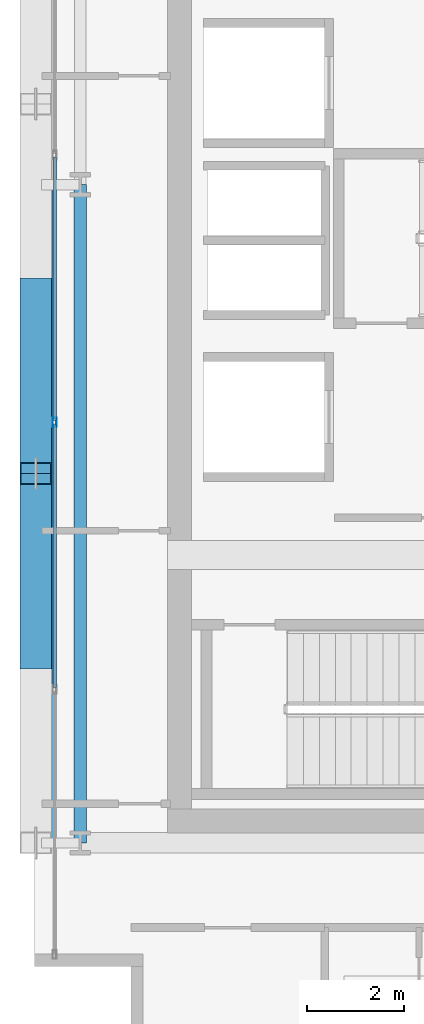
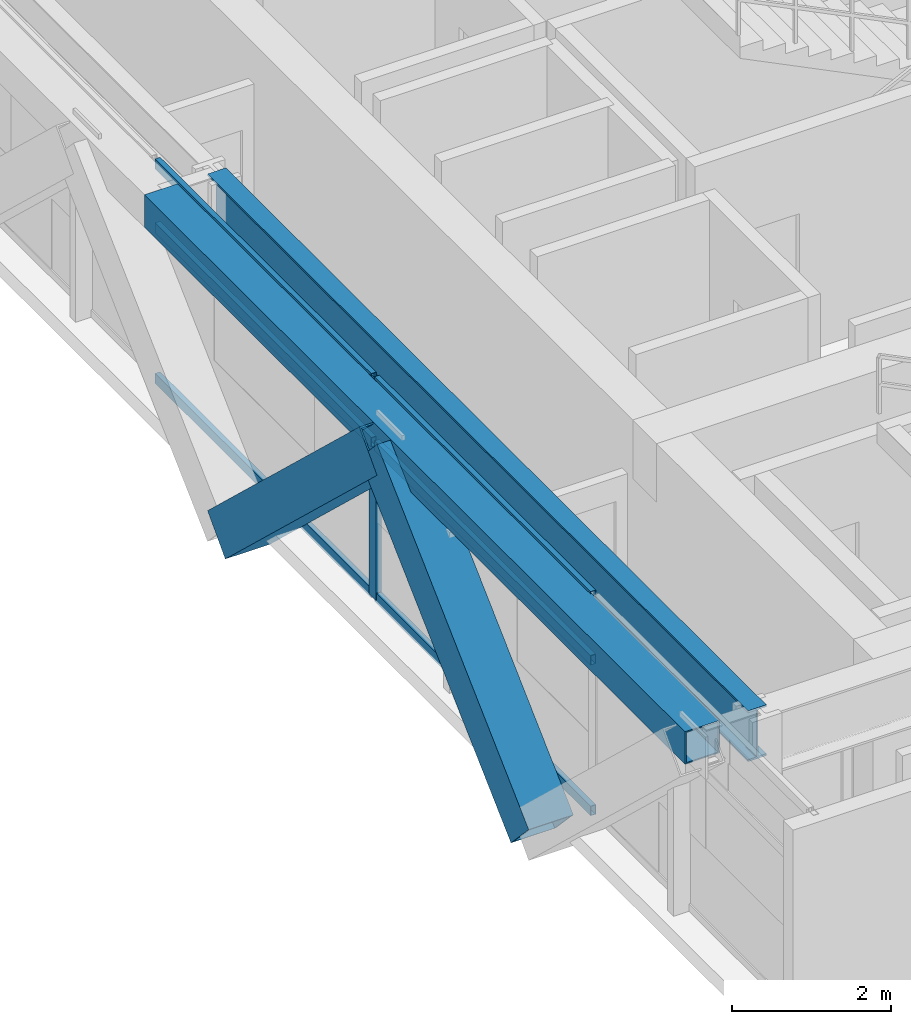
# One storey, part 6 of 34: 9 members, 2 beams, 1 element without a shape of its own.
"""IFC4 building model written with IfcOpenShell, lengths in metres."""

from ifc_helpers import new_model, si_unit, direction, frame, origin, origin_2d, place, context, subcontext, project, spatial, hollow_rectangle, i_section, extrude, source, transform, mapped, material, layer, layer_set, material_profile, profile_set, type_object, element, aggregate, save


model = new_model("IFC4")

# Units and contexts
model_context = context("Model", 3, precision=1e-05, world=origin(), true_north=direction((0.0, 1.0)))
body_context = subcontext(model_context, "Body", "Model", "MODEL_VIEW")
ifc_project = project(units=[si_unit("LENGTHUNIT", "METRE"), si_unit("AREAUNIT", "SQUARE_METRE"), si_unit("VOLUMEUNIT", "CUBIC_METRE"), si_unit("PLANEANGLEUNIT", "RADIAN"), si_unit("MASSUNIT", "GRAM", prefix="KILO")], contexts=[model_context])

# Site, building, storey
site_placement = place(None, origin())
site = spatial("IfcSite", under=ifc_project, at=site_placement, CompositionType="ELEMENT")
building_placement = place(site_placement, origin())
building = spatial("IfcBuilding", under=site, at=building_placement, Name="Ocotamira Hotel", CompositionType="ELEMENT")
storey_placement = place(building_placement, frame((0.0, 0.0, 163.199951171875)))
storey = spatial("IfcBuildingStorey", under=building, at=storey_placement, Name="L40", CompositionType="ELEMENT", Elevation=163.199951171875)

# Beams
ifc_material_1 = material(Name="Steel ASTM A992 Grade 50", Category="steel")
ifc_material_profile_1 = material_profile(ifc_material_1, i_section(OverallWidth=0.26611328125, OverallDepth=0.779052734375, WebThickness=0.0166015625, FlangeThickness=0.030029296875, FilletRadius=0.01806640625, at=origin_2d()), Name="W30X148")
ifc_profile_set_1 = profile_set([ifc_material_profile_1], Name="Steel ASTM A992 Grade 50")
beam_type_1 = type_object("IfcBeamType", Name="BM-GIRD-W30X148", PredefinedType="BEAM", material=ifc_profile_set_1)
shared_shape_1 = source(origin(), body_context, "Body", "SweptSolid", [
    extrude(i_section(OverallWidth=0.26611328125, OverallDepth=0.779052734375, WebThickness=0.0166015625, FlangeThickness=0.030029296875, FilletRadius=0.01806640625, at=origin_2d()), origin(), (0.0, 0.0, 1.0), 13.599853515625),
])
beam_1_placement = place(storey_placement, frame((8.949951171875, 14.550048828125, 2.98046875), z_axis=(0.0, 1.0, 0.0), x_axis=(-1.0, 0.0, 0.0)))
element("IfcBeam", 1, at=beam_1_placement, inside=storey, type_object=beam_type_1, Name="L40 Beam X8.95 Y14.55-28.15", PredefinedType="BEAM", context=body_context, shape_type="MappedRepresentation", body=[
    mapped(shared_shape_1, transform((0.0, 0.0, 0.0), scale=1.0)),
])
ifc_material_2 = material(Name="Steel ASTM A500 Grade C", Category="steel")
ifc_material_profile_2 = material_profile(ifc_material_2, hollow_rectangle(XDim=0.5, YDim=0.5, WallThickness=0.02001953125, at=origin_2d()), Name="HSS500X500X20")
ifc_profile_set_2 = profile_set([ifc_material_profile_2], Name="Steel ASTM A500 Grade C")
beam_type_2 = type_object("IfcBeamType", Name="BM-SPAN-HSS500", PredefinedType="USERDEFINED", material=ifc_profile_set_2)
shared_shape_2 = source(origin(), body_context, "Body", "SweptSolid", [
    extrude(hollow_rectangle(XDim=0.5, YDim=0.5, WallThickness=0.02001953125, at=origin_2d()), origin(), (0.0, 0.0, 1.0), 13.599853515625),
])
beam_2_placement = place(storey_placement, frame((8.14990234375, 14.550048828125, 3.1201171875), z_axis=(0.0, 1.0, 0.0), x_axis=(-1.0, 0.0, 0.0)))
element("IfcBeam", 2, at=beam_2_placement, inside=storey, type_object=beam_type_2, Name="L40 Edge Spandrel W Y14.55-28.15", ObjectType="SPANDREL", PredefinedType="USERDEFINED", context=body_context, shape_type="MappedRepresentation", body=[
    mapped(shared_shape_2, transform((0.0, 0.0, 0.0), scale=1.0)),
])

# Members
ifc_material_3 = material(Name="Pale-metal coated steel ASTM A913 Grade 65", Category="steel")
ifc_material_profile_3 = material_profile(ifc_material_3, hollow_rectangle(XDim=0.64990234375, YDim=0.64990234375, WallThickness=0.02197265625, at=origin_2d()), Name="BOX650X650X22")
ifc_profile_set_3 = profile_set([ifc_material_profile_3], Name="Pale-metal coated steel ASTM A913 Grade 65")
member_type_1 = type_object("IfcMemberType", Name="MEM-EXO-BOX650", PredefinedType="BRACE", material=ifc_profile_set_3)
shared_shape_3 = source(origin(), body_context, "Body", "SweptSolid", [
    extrude(hollow_rectangle(XDim=0.64990234375, YDim=0.64990234375, WallThickness=0.02197265625, at=origin_2d()), origin(), (0.0, 0.0, 1.0), 5.24658203125),
])
for number, where, z_axis, x_axis, name in (
    (3, (8.030029296875, 18.36669921875, -0.47998046875), (0.0, 0.727442733726, 0.686168397078), (-1.0, 0.0, 0.0), "L40 Exoskeleton Diagrid W0.2"),
    (4, (8.030029296875, 26.0, -0.47998046875), (0.0, -0.727442733726, 0.686168397078), (1.0, 0.0, 0.0), "L40 Exoskeleton Diagrid W1.1"),
):
    element("IfcMember", number, at=place(storey_placement, frame(where, z_axis=z_axis, x_axis=x_axis)), inside=storey, type_object=member_type_1, Name=name, PredefinedType="BRACE", context=body_context, shape_type="MappedRepresentation", body=[
        mapped(shared_shape_3, transform((0.0, 0.0, 0.0), scale=1.0)),
    ])

# Curtain wall, members
ifc_material_4 = material(Name="Anodised pale-metal aluminium and solar glass", Category="aluminium")
ifc_layer = layer(ifc_material_4, 0.199951171875)
ifc_layer_set = layer_set([ifc_layer], Name="Anodised pale-metal aluminium and solar glass")
curtain_wall_type = type_object("IfcCurtainWallType", Name="CW-SYS4-Z3", PredefinedType="NOTDEFINED", material=ifc_layer_set)
curtain_wall_placement = place(storey_placement, origin())
curtain_wall = element("IfcCurtainWall", 5, at=curtain_wall_placement, inside=storey, type_object=curtain_wall_type, Name="L40 Curtain Wall CW-4 CW-L40-W", PredefinedType="NOTDEFINED")
ifc_material_5 = material(Name="Anodised pale-metal aluminium 6063-T6", Category="aluminium")
ifc_material_profile_4 = material_profile(ifc_material_5, hollow_rectangle(XDim=0.080078125, YDim=0.179931640625, WallThickness=0.006103515625, at=origin_2d()), Name="HSS180X80X6")
ifc_profile_set_4 = profile_set([ifc_material_profile_4], Name="Anodised pale-metal aluminium 6063-T6")
member_type_2 = type_object("IfcMemberType", Name="CWM-180X75", PredefinedType="MULLION", material=ifc_profile_set_4)
shared_shape_4 = source(origin(), body_context, "Body", "SweptSolid", [
    extrude(hollow_rectangle(XDim=0.080078125, YDim=0.179931640625, WallThickness=0.006103515625, at=origin_2d()), origin(), (0.0, 0.0, 1.0), 3.3701171875),
])
member_1_placement = place(storey_placement, frame((8.419921875, 23.239990234375, 0.0), z_axis=(0.0, 0.0, 1.0), x_axis=(-1.0, 0.0, 0.0)))
member_1 = element("IfcMember", 6, at=member_1_placement, type_object=member_type_2, Name="CW-4 mullion 3", PredefinedType="MULLION", context=body_context, shape_type="MappedRepresentation", body=[
    mapped(shared_shape_4, transform((0.0, 0.0, 0.0), scale=1.0)),
])
ifc_material_profile_5 = material_profile(ifc_material_5, hollow_rectangle(XDim=0.074951171875, YDim=0.14990234375, WallThickness=0.006103515625, at=origin_2d()), Name="HSS150X75X6")
ifc_profile_set_5 = profile_set([ifc_material_profile_5], Name="Anodised pale-metal aluminium 6063-T6")
member_type_3 = type_object("IfcMemberType", Name="CWT-150X75", PredefinedType="USERDEFINED", material=ifc_profile_set_5)
shared_shape_5 = source(origin(), body_context, "Body", "SweptSolid", [
    extrude(hollow_rectangle(XDim=0.074951171875, YDim=0.14990234375, WallThickness=0.006103515625, at=origin_2d()), origin(), (0.0, 0.0, 1.0), 5.43994140625),
])
member_2_placement = place(storey_placement, frame((8.419921875, 17.760009765625, 0.03759765625), z_axis=(0.0, 1.0, 0.0), x_axis=(-1.0, 0.0, 0.0)))
member_2 = element("IfcMember", 7, at=member_2_placement, type_object=member_type_3, Name="CW-4 transom 2.1", ObjectType="TRANSOM", PredefinedType="USERDEFINED", context=body_context, shape_type="MappedRepresentation", body=[
    mapped(shared_shape_5, transform((0.0, 0.0, 0.0), scale=1.0)),
])
member_3_placement = place(storey_placement, frame((8.419921875, 17.760009765625, 2.35009765625), z_axis=(0.0, 1.0, 0.0), x_axis=(-1.0, 0.0, 0.0)))
member_3 = element("IfcMember", 8, at=member_3_placement, type_object=member_type_3, Name="CW-4 transom 2.2", ObjectType="TRANSOM", PredefinedType="USERDEFINED", context=body_context, shape_type="MappedRepresentation", body=[
    mapped(shared_shape_5, transform((0.0, 0.0, 0.0), scale=1.0)),
])
member_4_placement = place(storey_placement, frame((8.419921875, 17.760009765625, 3.33251953125), z_axis=(0.0, 1.0, 0.0), x_axis=(-1.0, 0.0, 0.0)))
member_4 = element("IfcMember", 9, at=member_4_placement, type_object=member_type_3, Name="CW-4 transom 2.3", ObjectType="TRANSOM", PredefinedType="USERDEFINED", context=body_context, shape_type="MappedRepresentation", body=[
    mapped(shared_shape_5, transform((0.0, 0.0, 0.0), scale=1.0)),
])
member_5_placement = place(storey_placement, frame((8.419921875, 23.280029296875, 0.03759765625), z_axis=(0.0, 1.0, 0.0), x_axis=(-1.0, 0.0, 0.0)))
member_5 = element("IfcMember", 10, at=member_5_placement, type_object=member_type_3, Name="CW-4 transom 3.1", ObjectType="TRANSOM", PredefinedType="USERDEFINED", context=body_context, shape_type="MappedRepresentation", body=[
    mapped(shared_shape_5, transform((0.0, 0.0, 0.0), scale=1.0)),
])
member_6_placement = place(storey_placement, frame((8.419921875, 23.280029296875, 2.35009765625), z_axis=(0.0, 1.0, 0.0), x_axis=(-1.0, 0.0, 0.0)))
member_6 = element("IfcMember", 11, at=member_6_placement, type_object=member_type_3, Name="CW-4 transom 3.2", ObjectType="TRANSOM", PredefinedType="USERDEFINED", context=body_context, shape_type="MappedRepresentation", body=[
    mapped(shared_shape_5, transform((0.0, 0.0, 0.0), scale=1.0)),
])
member_7_placement = place(storey_placement, frame((8.419921875, 23.280029296875, 3.33251953125), z_axis=(0.0, 1.0, 0.0), x_axis=(-1.0, 0.0, 0.0)))
member_7 = element("IfcMember", 12, at=member_7_placement, type_object=member_type_3, Name="CW-4 transom 3.3", ObjectType="TRANSOM", PredefinedType="USERDEFINED", context=body_context, shape_type="MappedRepresentation", body=[
    mapped(shared_shape_5, transform((0.0, 0.0, 0.0), scale=1.0)),
])
aggregate(curtain_wall, [member_1, member_2, member_3, member_4, member_5, member_6, member_7])

save(model, "model.ifc")
